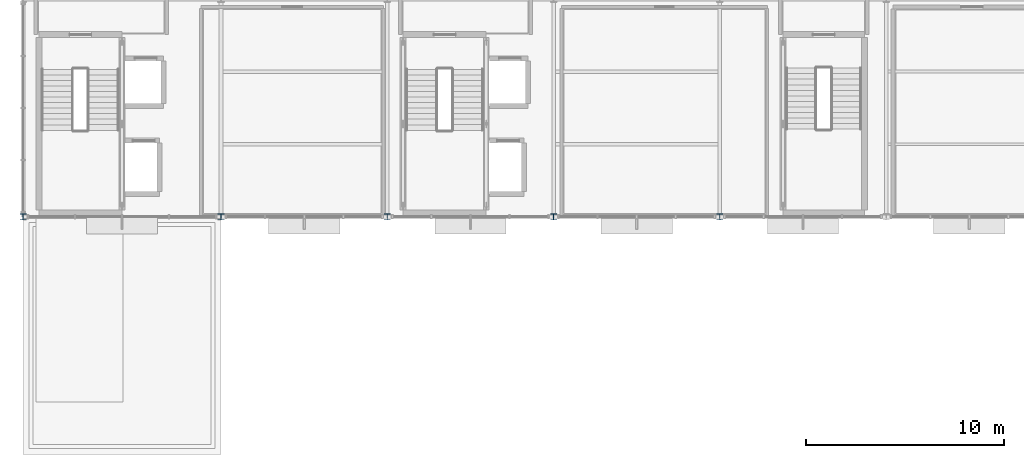
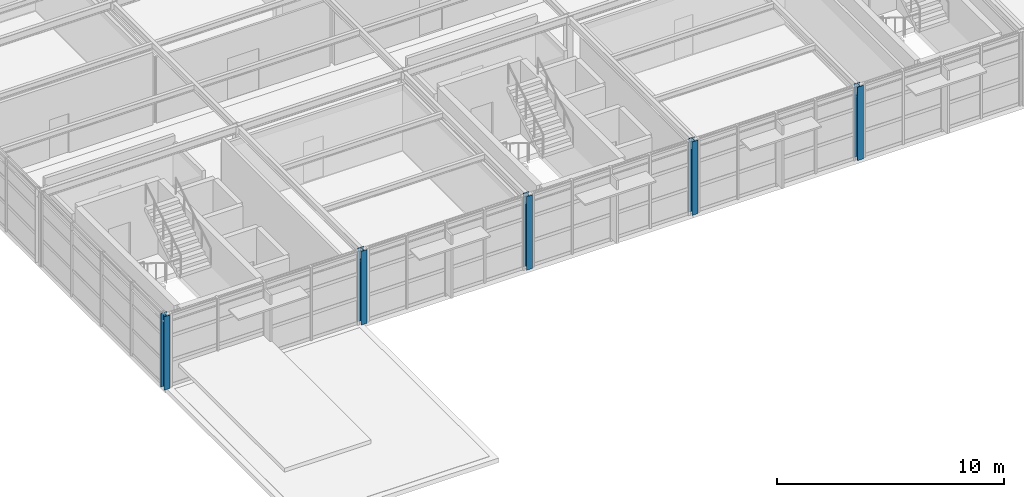
# One storey, part 1 of 21: 5 columns.
"""IFC4 building model written with IfcOpenShell, lengths in metres."""

from ifc_helpers import new_model, si_unit, direction, frame, origin, origin_2d, place, context, subcontext, project, spatial, i_section, extrude, material, material_profile, profile_set, type_object, element, save


model = new_model("IFC4")

# Units and contexts
model_context = context("Model", 3, precision=1e-05, world=origin(), true_north=direction((0.0, 1.0)))
body_context = subcontext(model_context, "Body", "Model", "MODEL_VIEW")
ifc_project = project(units=[si_unit("LENGTHUNIT", "METRE"), si_unit("AREAUNIT", "SQUARE_METRE"), si_unit("VOLUMEUNIT", "CUBIC_METRE"), si_unit("PLANEANGLEUNIT", "RADIAN"), si_unit("MASSUNIT", "GRAM", prefix="KILO")], contexts=[model_context])

# Site, building, storey
site_placement = place(None, origin())
site = spatial("IfcSite", under=ifc_project, at=site_placement, CompositionType="ELEMENT")
building_placement = place(site_placement, origin())
building = spatial("IfcBuilding", under=site, at=building_placement, Name="Sitalva Quay Ferry Terminal", CompositionType="ELEMENT")
storey_placement = place(building_placement, frame((0.0, 0.0, 14.39990234375)))
storey = spatial("IfcBuildingStorey", under=building, at=storey_placement, Name="L04", CompositionType="ELEMENT", Elevation=14.39990234375)

# Columns
ifc_material = material(Name="Structural Steel S355JR", Category="steel")
ifc_material_profile = material_profile(ifc_material, i_section(OverallWidth=0.305908203125, OverallDepth=0.31103515625, WebThickness=0.010986328125, FlangeThickness=0.01708984375, FilletRadius=0.014892578125, at=origin_2d()), Name="W310x107")
ifc_profile_set = profile_set([ifc_material_profile], Name="Structural Steel S355JR")
column_type = type_object("IfcColumnType", Name="Col_W310x107", PredefinedType="COLUMN", material=ifc_profile_set)
for number, where, z_axis, x_axis, name in (
    (1, (74.0, 78.0, 0.0), (0.0, 0.0, 1.0), (1.0, 0.0, 0.0), "L04 column 10J"),
    (2, (84.0, 78.0, 0.0), (0.0, 0.0, 1.0), (1.0, 0.0, 0.0), "L04 column 11J"),
    (3, (92.39990234375, 78.0, 0.0), (0.0, 0.0, 1.0), (1.0, 0.0, 0.0), "L04 column 12J"),
    (4, (100.800048828125, 78.0, 0.0), (0.0, 0.0, 1.0), (1.0, 0.0, 0.0), "L04 column 13J"),
    (5, (109.199951171875, 78.0, 0.0), (0.0, 0.0, 1.0), (1.0, 0.0, 0.0), "L04 column 14J"),
):
    element("IfcColumn", number, at=place(storey_placement, frame(where, z_axis=z_axis, x_axis=x_axis)), inside=storey, type_object=column_type, Name=name, PredefinedType="COLUMN", context=body_context, shape_type="SweptSolid", body=[
        extrude(i_section(OverallWidth=0.305908203125, OverallDepth=0.31103515625, WebThickness=0.010986328125, FlangeThickness=0.01708984375, FilletRadius=0.014892578125, at=origin_2d()), origin(), (0.0, 0.0, 1.0), 3.9501953125),
    ])

save(model, "model.ifc")
